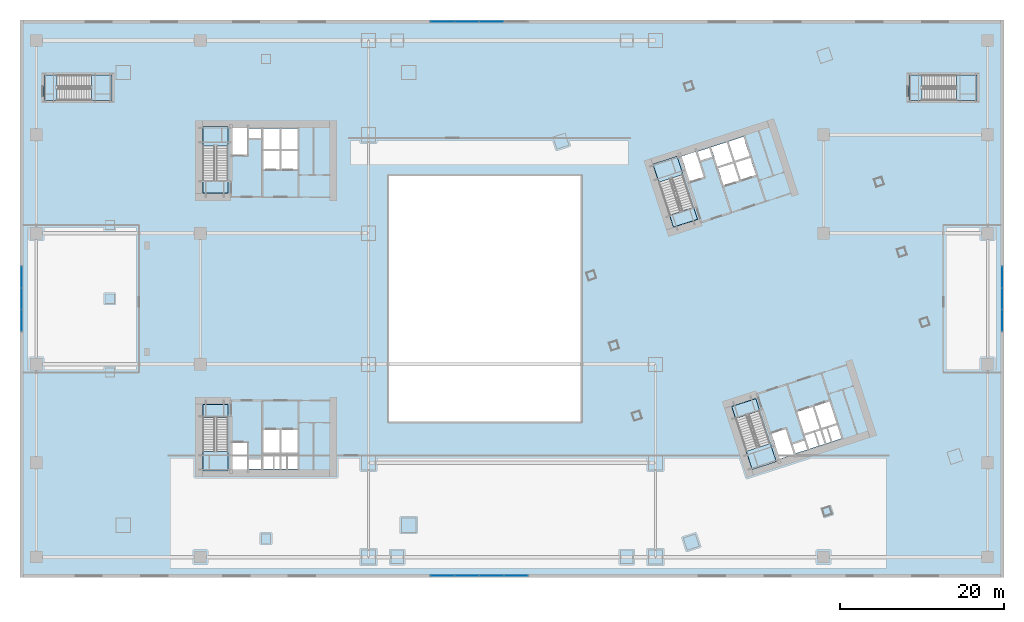
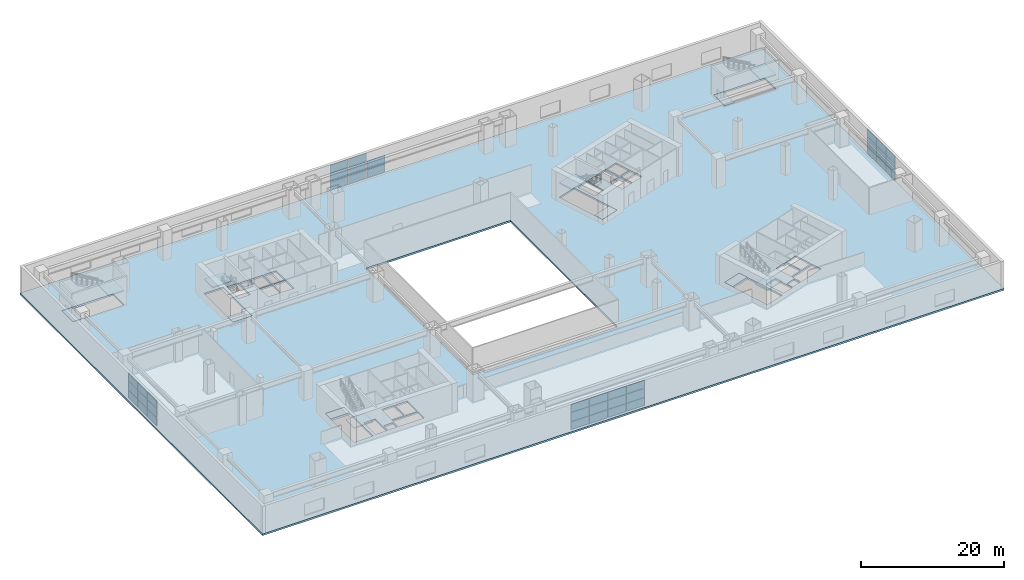
# One storey, part 21 of 35: 38 plates, 13 slabs, 10 elements without a shape of their own.
"""IFC4 building model written with IfcOpenShell, lengths in metres."""

from ifc_helpers import new_model, si_unit, direction, frame, origin, origin_2d, place, context, subcontext, project, spatial, polyline, rectangle, outline, extrude, material, layer, layer_set, type_object, element, aggregate, save


model = new_model("IFC4")

# Units and contexts
model_context = context("Model", 3, precision=1e-05, world=origin(), true_north=direction((0.0, 1.0)))
body_context = subcontext(model_context, "Body", "Model", "MODEL_VIEW")
ifc_project = project(units=[si_unit("LENGTHUNIT", "METRE"), si_unit("AREAUNIT", "SQUARE_METRE"), si_unit("VOLUMEUNIT", "CUBIC_METRE"), si_unit("PLANEANGLEUNIT", "RADIAN"), si_unit("MASSUNIT", "GRAM", prefix="KILO")], contexts=[model_context])

# Site, building, storey
site_placement = place(None, origin())
site = spatial("IfcSite", under=ifc_project, at=site_placement, CompositionType="ELEMENT")
building_placement = place(site_placement, origin())
building = spatial("IfcBuilding", under=site, at=building_placement, Name="Qiaolan Cultural Towers", CompositionType="ELEMENT")
storey_placement = place(building_placement, frame((0.0, 0.0, 11.5)))
storey = spatial("IfcBuildingStorey", under=building, at=storey_placement, Name="L02", CompositionType="ELEMENT", Elevation=11.5)

# Curtain wall, plates
ifc_material_1 = material(Name="Unitized Anodized Aluminium Curtain Wall System", Category="aluminium")
ifc_layer_1 = layer(ifc_material_1, 0.199951171875)
ifc_layer_set_1 = layer_set([ifc_layer_1], Name="Unitized Anodized Aluminium Curtain Wall System")
curtain_wall_type_1 = type_object("IfcCurtainWallType", Name="CWS-01", PredefinedType="NOTDEFINED", material=ifc_layer_set_1)
curtain_wall_1_placement = place(storey_placement, origin())
curtain_wall_1 = element("IfcCurtainWall", 1, at=curtain_wall_1_placement, inside=storey, type_object=curtain_wall_type_1, Name="L02 South Atrium Curtain Wall", PredefinedType="NOTDEFINED")
ifc_material_2 = material(Name="Laminated Low-E Insulating Glass Unit", Category="glass")
ifc_layer_2 = layer(ifc_material_2, 0.035888671875)
ifc_layer_set_2 = layer_set([ifc_layer_2], Name="Laminated Low-E Insulating Glass Unit")
plate_type_1 = type_object("IfcPlateType", Name="CWS-01-PNL", PredefinedType="CURTAIN_PANEL", material=ifc_layer_set_2)
plate_1_placement = place(storey_placement, frame((51.518798828125, 0.219970703125, 0.215087890625), z_axis=(0.0, 0.0, 1.0), x_axis=(1.0, 0.0, 0.0)))
plate_1 = element("IfcPlate", 2, at=plate_1_placement, type_object=plate_type_1, Name="CW-1 panel 1.1", PredefinedType="CURTAIN_PANEL", context=body_context, shape_type="SweptSolid", body=[
    extrude(rectangle(XDim=2.887451171875, YDim=0.035888671875, at=origin_2d()), origin(), (0.0, 0.0, 1.0), 1.3125),
])
plate_2_placement = place(storey_placement, frame((51.518798828125, 0.219970703125, 1.5927734375), z_axis=(0.0, 0.0, 1.0), x_axis=(1.0, 0.0, 0.0)))
plate_2 = element("IfcPlate", 3, at=plate_2_placement, type_object=plate_type_1, Name="CW-1 panel 1.2", PredefinedType="CURTAIN_PANEL", context=body_context, shape_type="SweptSolid", body=[
    extrude(rectangle(XDim=2.887451171875, YDim=0.035888671875, at=origin_2d()), origin(), (0.0, 0.0, 1.0), 1.514892578125),
])
plate_3_placement = place(storey_placement, frame((51.518798828125, 0.219970703125, 3.172607421875), z_axis=(0.0, 0.0, 1.0), x_axis=(1.0, 0.0, 0.0)))
plate_3 = element("IfcPlate", 4, at=plate_3_placement, type_object=plate_type_1, Name="CW-1 panel 1.3", PredefinedType="CURTAIN_PANEL", context=body_context, shape_type="SweptSolid", body=[
    extrude(rectangle(XDim=2.887451171875, YDim=0.035888671875, at=origin_2d()), origin(), (0.0, 0.0, 1.0), 1.3125),
])
plate_4_placement = place(storey_placement, frame((54.5, 0.219970703125, 0.215087890625), z_axis=(0.0, 0.0, 1.0), x_axis=(1.0, 0.0, 0.0)))
plate_4 = element("IfcPlate", 5, at=plate_4_placement, type_object=plate_type_1, Name="CW-1 panel 2.1", PredefinedType="CURTAIN_PANEL", context=body_context, shape_type="SweptSolid", body=[
    extrude(rectangle(XDim=2.925048828125, YDim=0.035888671875, at=origin_2d()), origin(), (0.0, 0.0, 1.0), 1.3125),
])
plate_5_placement = place(storey_placement, frame((54.5, 0.219970703125, 1.5927734375), z_axis=(0.0, 0.0, 1.0), x_axis=(1.0, 0.0, 0.0)))
plate_5 = element("IfcPlate", 6, at=plate_5_placement, type_object=plate_type_1, Name="CW-1 panel 2.2", PredefinedType="CURTAIN_PANEL", context=body_context, shape_type="SweptSolid", body=[
    extrude(rectangle(XDim=2.925048828125, YDim=0.035888671875, at=origin_2d()), origin(), (0.0, 0.0, 1.0), 1.514892578125),
])
plate_6_placement = place(storey_placement, frame((54.5, 0.219970703125, 3.172607421875), z_axis=(0.0, 0.0, 1.0), x_axis=(1.0, 0.0, 0.0)))
plate_6 = element("IfcPlate", 7, at=plate_6_placement, type_object=plate_type_1, Name="CW-1 panel 2.3", PredefinedType="CURTAIN_PANEL", context=body_context, shape_type="SweptSolid", body=[
    extrude(rectangle(XDim=2.925048828125, YDim=0.035888671875, at=origin_2d()), origin(), (0.0, 0.0, 1.0), 1.3125),
])
plate_7_placement = place(storey_placement, frame((57.5, 0.219970703125, 0.215087890625), z_axis=(0.0, 0.0, 1.0), x_axis=(1.0, 0.0, 0.0)))
plate_7 = element("IfcPlate", 8, at=plate_7_placement, type_object=plate_type_1, Name="CW-1 panel 3.1", PredefinedType="CURTAIN_PANEL", context=body_context, shape_type="SweptSolid", body=[
    extrude(rectangle(XDim=2.925048828125, YDim=0.035888671875, at=origin_2d()), origin(), (0.0, 0.0, 1.0), 1.3125),
])
plate_8_placement = place(storey_placement, frame((57.5, 0.219970703125, 1.5927734375), z_axis=(0.0, 0.0, 1.0), x_axis=(1.0, 0.0, 0.0)))
plate_8 = element("IfcPlate", 9, at=plate_8_placement, type_object=plate_type_1, Name="CW-1 panel 3.2", PredefinedType="CURTAIN_PANEL", context=body_context, shape_type="SweptSolid", body=[
    extrude(rectangle(XDim=2.925048828125, YDim=0.035888671875, at=origin_2d()), origin(), (0.0, 0.0, 1.0), 1.514892578125),
])
plate_9_placement = place(storey_placement, frame((57.5, 0.219970703125, 3.172607421875), z_axis=(0.0, 0.0, 1.0), x_axis=(1.0, 0.0, 0.0)))
plate_9 = element("IfcPlate", 10, at=plate_9_placement, type_object=plate_type_1, Name="CW-1 panel 3.3", PredefinedType="CURTAIN_PANEL", context=body_context, shape_type="SweptSolid", body=[
    extrude(rectangle(XDim=2.925048828125, YDim=0.035888671875, at=origin_2d()), origin(), (0.0, 0.0, 1.0), 1.3125),
])
plate_10_placement = place(storey_placement, frame((60.481201171875, 0.219970703125, 0.215087890625), z_axis=(0.0, 0.0, 1.0), x_axis=(1.0, 0.0, 0.0)))
plate_10 = element("IfcPlate", 11, at=plate_10_placement, type_object=plate_type_1, Name="CW-1 panel 4.1", PredefinedType="CURTAIN_PANEL", context=body_context, shape_type="SweptSolid", body=[
    extrude(rectangle(XDim=2.887451171875, YDim=0.035888671875, at=origin_2d()), origin(), (0.0, 0.0, 1.0), 1.3125),
])
plate_11_placement = place(storey_placement, frame((60.481201171875, 0.219970703125, 1.5927734375), z_axis=(0.0, 0.0, 1.0), x_axis=(1.0, 0.0, 0.0)))
plate_11 = element("IfcPlate", 12, at=plate_11_placement, type_object=plate_type_1, Name="CW-1 panel 4.2", PredefinedType="CURTAIN_PANEL", context=body_context, shape_type="SweptSolid", body=[
    extrude(rectangle(XDim=2.887451171875, YDim=0.035888671875, at=origin_2d()), origin(), (0.0, 0.0, 1.0), 1.514892578125),
])
plate_12_placement = place(storey_placement, frame((60.481201171875, 0.219970703125, 3.172607421875), z_axis=(0.0, 0.0, 1.0), x_axis=(1.0, 0.0, 0.0)))
plate_12 = element("IfcPlate", 13, at=plate_12_placement, type_object=plate_type_1, Name="CW-1 panel 4.3", PredefinedType="CURTAIN_PANEL", context=body_context, shape_type="SweptSolid", body=[
    extrude(rectangle(XDim=2.887451171875, YDim=0.035888671875, at=origin_2d()), origin(), (0.0, 0.0, 1.0), 1.3125),
])
aggregate(curtain_wall_1, [plate_1, plate_2, plate_3, plate_4, plate_5, plate_6, plate_7, plate_8, plate_9, plate_10, plate_11, plate_12])

curtain_wall_2_placement = place(storey_placement, origin())
curtain_wall_2 = element("IfcCurtainWall", 14, at=curtain_wall_2_placement, inside=storey, type_object=curtain_wall_type_1, Name="L02 North Atrium Curtain Wall", PredefinedType="NOTDEFINED")
plate_13_placement = place(storey_placement, frame((51.518798828125, 67.780029296875, 0.215087890625), z_axis=(0.0, 0.0, 1.0), x_axis=(1.0, 0.0, 0.0)))
plate_13 = element("IfcPlate", 15, at=plate_13_placement, type_object=plate_type_1, Name="CW-1 panel 1.1", PredefinedType="CURTAIN_PANEL", context=body_context, shape_type="SweptSolid", body=[
    extrude(rectangle(XDim=2.887451171875, YDim=0.035888671875, at=origin_2d()), origin(), (0.0, 0.0, 1.0), 1.3125),
])
plate_14_placement = place(storey_placement, frame((51.518798828125, 67.780029296875, 1.5927734375), z_axis=(0.0, 0.0, 1.0), x_axis=(1.0, 0.0, 0.0)))
plate_14 = element("IfcPlate", 16, at=plate_14_placement, type_object=plate_type_1, Name="CW-1 panel 1.2", PredefinedType="CURTAIN_PANEL", context=body_context, shape_type="SweptSolid", body=[
    extrude(rectangle(XDim=2.887451171875, YDim=0.035888671875, at=origin_2d()), origin(), (0.0, 0.0, 1.0), 1.514892578125),
])
plate_15_placement = place(storey_placement, frame((51.518798828125, 67.780029296875, 3.172607421875), z_axis=(0.0, 0.0, 1.0), x_axis=(1.0, 0.0, 0.0)))
plate_15 = element("IfcPlate", 17, at=plate_15_placement, type_object=plate_type_1, Name="CW-1 panel 1.3", PredefinedType="CURTAIN_PANEL", context=body_context, shape_type="SweptSolid", body=[
    extrude(rectangle(XDim=2.887451171875, YDim=0.035888671875, at=origin_2d()), origin(), (0.0, 0.0, 1.0), 1.3125),
])
plate_16_placement = place(storey_placement, frame((54.5, 67.780029296875, 0.215087890625), z_axis=(0.0, 0.0, 1.0), x_axis=(1.0, 0.0, 0.0)))
plate_16 = element("IfcPlate", 18, at=plate_16_placement, type_object=plate_type_1, Name="CW-1 panel 2.1", PredefinedType="CURTAIN_PANEL", context=body_context, shape_type="SweptSolid", body=[
    extrude(rectangle(XDim=2.925048828125, YDim=0.035888671875, at=origin_2d()), origin(), (0.0, 0.0, 1.0), 1.3125),
])
plate_17_placement = place(storey_placement, frame((54.5, 67.780029296875, 1.5927734375), z_axis=(0.0, 0.0, 1.0), x_axis=(1.0, 0.0, 0.0)))
plate_17 = element("IfcPlate", 19, at=plate_17_placement, type_object=plate_type_1, Name="CW-1 panel 2.2", PredefinedType="CURTAIN_PANEL", context=body_context, shape_type="SweptSolid", body=[
    extrude(rectangle(XDim=2.925048828125, YDim=0.035888671875, at=origin_2d()), origin(), (0.0, 0.0, 1.0), 1.514892578125),
])
plate_18_placement = place(storey_placement, frame((54.5, 67.780029296875, 3.172607421875), z_axis=(0.0, 0.0, 1.0), x_axis=(1.0, 0.0, 0.0)))
plate_18 = element("IfcPlate", 20, at=plate_18_placement, type_object=plate_type_1, Name="CW-1 panel 2.3", PredefinedType="CURTAIN_PANEL", context=body_context, shape_type="SweptSolid", body=[
    extrude(rectangle(XDim=2.925048828125, YDim=0.035888671875, at=origin_2d()), origin(), (0.0, 0.0, 1.0), 1.3125),
])
plate_19_placement = place(storey_placement, frame((57.5, 67.780029296875, 0.215087890625), z_axis=(0.0, 0.0, 1.0), x_axis=(1.0, 0.0, 0.0)))
plate_19 = element("IfcPlate", 21, at=plate_19_placement, type_object=plate_type_1, Name="CW-1 panel 3.1", PredefinedType="CURTAIN_PANEL", context=body_context, shape_type="SweptSolid", body=[
    extrude(rectangle(XDim=2.925048828125, YDim=0.035888671875, at=origin_2d()), origin(), (0.0, 0.0, 1.0), 1.3125),
])
plate_20_placement = place(storey_placement, frame((57.5, 67.780029296875, 1.5927734375), z_axis=(0.0, 0.0, 1.0), x_axis=(1.0, 0.0, 0.0)))
plate_20 = element("IfcPlate", 22, at=plate_20_placement, type_object=plate_type_1, Name="CW-1 panel 3.2", PredefinedType="CURTAIN_PANEL", context=body_context, shape_type="SweptSolid", body=[
    extrude(rectangle(XDim=2.925048828125, YDim=0.035888671875, at=origin_2d()), origin(), (0.0, 0.0, 1.0), 1.514892578125),
])
aggregate(curtain_wall_2, [plate_13, plate_14, plate_15, plate_16, plate_17, plate_18, plate_19, plate_20])

ifc_material_3 = material(Name="Unitized Anodized Aluminium Curtain Wall System", Category="aluminium")
ifc_layer_3 = layer(ifc_material_3, 0.199951171875)
ifc_layer_set_3 = layer_set([ifc_layer_3], Name="Unitized Anodized Aluminium Curtain Wall System")
curtain_wall_type_2 = type_object("IfcCurtainWallType", Name="CWS-04", PredefinedType="NOTDEFINED", material=ifc_layer_set_3)
curtain_wall_3_placement = place(storey_placement, origin())
curtain_wall_3 = element("IfcCurtainWall", 23, at=curtain_wall_3_placement, inside=storey, type_object=curtain_wall_type_2, Name="L02 West Exhibition Foyer Curtain Wall", PredefinedType="NOTDEFINED")
ifc_material_4 = material(Name="Laminated Low-E Insulating Glass Unit", Category="glass")
ifc_layer_4 = layer(ifc_material_4, 0.035888671875)
ifc_layer_set_4 = layer_set([ifc_layer_4], Name="Laminated Low-E Insulating Glass Unit")
plate_type_2 = type_object("IfcPlateType", Name="CWS-04-PNL", PredefinedType="CURTAIN_PANEL", material=ifc_layer_set_4)
plate_21_placement = place(storey_placement, frame((0.219970703125, 31.35205078125, 0.215087890625), z_axis=(0.0, 0.0, 1.0), x_axis=(0.0, 1.0, 0.0)))
plate_21 = element("IfcPlate", 24, at=plate_21_placement, type_object=plate_type_2, Name="CW-4 panel 1.1", PredefinedType="CURTAIN_PANEL", context=body_context, shape_type="SweptSolid", body=[
    extrude(rectangle(XDim=2.55419921875, YDim=0.035888671875, at=origin_2d()), origin(), (0.0, 0.0, 1.0), 1.3125),
])
plate_22_placement = place(storey_placement, frame((0.219970703125, 31.35205078125, 1.5927734375), z_axis=(0.0, 0.0, 1.0), x_axis=(0.0, 1.0, 0.0)))
plate_22 = element("IfcPlate", 25, at=plate_22_placement, type_object=plate_type_2, Name="CW-4 panel 1.2", PredefinedType="CURTAIN_PANEL", context=body_context, shape_type="SweptSolid", body=[
    extrude(rectangle(XDim=2.55419921875, YDim=0.035888671875, at=origin_2d()), origin(), (0.0, 0.0, 1.0), 1.514892578125),
])
plate_23_placement = place(storey_placement, frame((0.219970703125, 31.35205078125, 3.172607421875), z_axis=(0.0, 0.0, 1.0), x_axis=(0.0, 1.0, 0.0)))
plate_23 = element("IfcPlate", 26, at=plate_23_placement, type_object=plate_type_2, Name="CW-4 panel 1.3", PredefinedType="CURTAIN_PANEL", context=body_context, shape_type="SweptSolid", body=[
    extrude(rectangle(XDim=2.55419921875, YDim=0.035888671875, at=origin_2d()), origin(), (0.0, 0.0, 1.0), 1.3125),
])
plate_24_placement = place(storey_placement, frame((0.219970703125, 34.0, 0.215087890625), z_axis=(0.0, 0.0, 1.0), x_axis=(0.0, 1.0, 0.0)))
plate_24 = element("IfcPlate", 27, at=plate_24_placement, type_object=plate_type_2, Name="CW-4 panel 2.1", PredefinedType="CURTAIN_PANEL", context=body_context, shape_type="SweptSolid", body=[
    extrude(rectangle(XDim=2.591552734375, YDim=0.035888671875, at=origin_2d()), origin(), (0.0, 0.0, 1.0), 1.3125),
])
plate_25_placement = place(storey_placement, frame((0.219970703125, 34.0, 1.5927734375), z_axis=(0.0, 0.0, 1.0), x_axis=(0.0, 1.0, 0.0)))
plate_25 = element("IfcPlate", 28, at=plate_25_placement, type_object=plate_type_2, Name="CW-4 panel 2.2", PredefinedType="CURTAIN_PANEL", context=body_context, shape_type="SweptSolid", body=[
    extrude(rectangle(XDim=2.591552734375, YDim=0.035888671875, at=origin_2d()), origin(), (0.0, 0.0, 1.0), 1.514892578125),
])
plate_26_placement = place(storey_placement, frame((0.219970703125, 34.0, 3.172607421875), z_axis=(0.0, 0.0, 1.0), x_axis=(0.0, 1.0, 0.0)))
plate_26 = element("IfcPlate", 29, at=plate_26_placement, type_object=plate_type_2, Name="CW-4 panel 2.3", PredefinedType="CURTAIN_PANEL", context=body_context, shape_type="SweptSolid", body=[
    extrude(rectangle(XDim=2.591552734375, YDim=0.035888671875, at=origin_2d()), origin(), (0.0, 0.0, 1.0), 1.3125),
])
plate_27_placement = place(storey_placement, frame((0.219970703125, 36.64794921875, 0.215087890625), z_axis=(0.0, 0.0, 1.0), x_axis=(0.0, 1.0, 0.0)))
plate_27 = element("IfcPlate", 30, at=plate_27_placement, type_object=plate_type_2, Name="CW-4 panel 3.1", PredefinedType="CURTAIN_PANEL", context=body_context, shape_type="SweptSolid", body=[
    extrude(rectangle(XDim=2.55419921875, YDim=0.035888671875, at=origin_2d()), origin(), (0.0, 0.0, 1.0), 1.3125),
])
plate_28_placement = place(storey_placement, frame((0.219970703125, 36.64794921875, 1.5927734375), z_axis=(0.0, 0.0, 1.0), x_axis=(0.0, 1.0, 0.0)))
plate_28 = element("IfcPlate", 31, at=plate_28_placement, type_object=plate_type_2, Name="CW-4 panel 3.2", PredefinedType="CURTAIN_PANEL", context=body_context, shape_type="SweptSolid", body=[
    extrude(rectangle(XDim=2.55419921875, YDim=0.035888671875, at=origin_2d()), origin(), (0.0, 0.0, 1.0), 1.514892578125),
])
plate_29_placement = place(storey_placement, frame((0.219970703125, 36.64794921875, 3.172607421875), z_axis=(0.0, 0.0, 1.0), x_axis=(0.0, 1.0, 0.0)))
plate_29 = element("IfcPlate", 32, at=plate_29_placement, type_object=plate_type_2, Name="CW-4 panel 3.3", PredefinedType="CURTAIN_PANEL", context=body_context, shape_type="SweptSolid", body=[
    extrude(rectangle(XDim=2.55419921875, YDim=0.035888671875, at=origin_2d()), origin(), (0.0, 0.0, 1.0), 1.3125),
])
aggregate(curtain_wall_3, [plate_21, plate_22, plate_23, plate_24, plate_25, plate_26, plate_27, plate_28, plate_29])

curtain_wall_4_placement = place(storey_placement, origin())
curtain_wall_4 = element("IfcCurtainWall", 33, at=curtain_wall_4_placement, inside=storey, type_object=curtain_wall_type_2, Name="L02 East Exhibition Foyer Curtain Wall", PredefinedType="NOTDEFINED")
plate_30_placement = place(storey_placement, frame((119.780029296875, 31.35205078125, 0.215087890625), z_axis=(0.0, 0.0, 1.0), x_axis=(0.0, 1.0, 0.0)))
plate_30 = element("IfcPlate", 34, at=plate_30_placement, type_object=plate_type_2, Name="CW-4 panel 1.1", PredefinedType="CURTAIN_PANEL", context=body_context, shape_type="SweptSolid", body=[
    extrude(rectangle(XDim=2.55419921875, YDim=0.035888671875, at=origin_2d()), origin(), (0.0, 0.0, 1.0), 1.3125),
])
plate_31_placement = place(storey_placement, frame((119.780029296875, 31.35205078125, 1.5927734375), z_axis=(0.0, 0.0, 1.0), x_axis=(0.0, 1.0, 0.0)))
plate_31 = element("IfcPlate", 35, at=plate_31_placement, type_object=plate_type_2, Name="CW-4 panel 1.2", PredefinedType="CURTAIN_PANEL", context=body_context, shape_type="SweptSolid", body=[
    extrude(rectangle(XDim=2.55419921875, YDim=0.035888671875, at=origin_2d()), origin(), (0.0, 0.0, 1.0), 1.514892578125),
])
plate_32_placement = place(storey_placement, frame((119.780029296875, 31.35205078125, 3.172607421875), z_axis=(0.0, 0.0, 1.0), x_axis=(0.0, 1.0, 0.0)))
plate_32 = element("IfcPlate", 36, at=plate_32_placement, type_object=plate_type_2, Name="CW-4 panel 1.3", PredefinedType="CURTAIN_PANEL", context=body_context, shape_type="SweptSolid", body=[
    extrude(rectangle(XDim=2.55419921875, YDim=0.035888671875, at=origin_2d()), origin(), (0.0, 0.0, 1.0), 1.3125),
])
plate_33_placement = place(storey_placement, frame((119.780029296875, 34.0, 0.215087890625), z_axis=(0.0, 0.0, 1.0), x_axis=(0.0, 1.0, 0.0)))
plate_33 = element("IfcPlate", 37, at=plate_33_placement, type_object=plate_type_2, Name="CW-4 panel 2.1", PredefinedType="CURTAIN_PANEL", context=body_context, shape_type="SweptSolid", body=[
    extrude(rectangle(XDim=2.591552734375, YDim=0.035888671875, at=origin_2d()), origin(), (0.0, 0.0, 1.0), 1.3125),
])
plate_34_placement = place(storey_placement, frame((119.780029296875, 34.0, 1.5927734375), z_axis=(0.0, 0.0, 1.0), x_axis=(0.0, 1.0, 0.0)))
plate_34 = element("IfcPlate", 38, at=plate_34_placement, type_object=plate_type_2, Name="CW-4 panel 2.2", PredefinedType="CURTAIN_PANEL", context=body_context, shape_type="SweptSolid", body=[
    extrude(rectangle(XDim=2.591552734375, YDim=0.035888671875, at=origin_2d()), origin(), (0.0, 0.0, 1.0), 1.514892578125),
])
plate_35_placement = place(storey_placement, frame((119.780029296875, 34.0, 3.172607421875), z_axis=(0.0, 0.0, 1.0), x_axis=(0.0, 1.0, 0.0)))
plate_35 = element("IfcPlate", 39, at=plate_35_placement, type_object=plate_type_2, Name="CW-4 panel 2.3", PredefinedType="CURTAIN_PANEL", context=body_context, shape_type="SweptSolid", body=[
    extrude(rectangle(XDim=2.591552734375, YDim=0.035888671875, at=origin_2d()), origin(), (0.0, 0.0, 1.0), 1.3125),
])
plate_36_placement = place(storey_placement, frame((119.780029296875, 36.64794921875, 0.215087890625), z_axis=(0.0, 0.0, 1.0), x_axis=(0.0, 1.0, 0.0)))
plate_36 = element("IfcPlate", 40, at=plate_36_placement, type_object=plate_type_2, Name="CW-4 panel 3.1", PredefinedType="CURTAIN_PANEL", context=body_context, shape_type="SweptSolid", body=[
    extrude(rectangle(XDim=2.55419921875, YDim=0.035888671875, at=origin_2d()), origin(), (0.0, 0.0, 1.0), 1.3125),
])
plate_37_placement = place(storey_placement, frame((119.780029296875, 36.64794921875, 1.5927734375), z_axis=(0.0, 0.0, 1.0), x_axis=(0.0, 1.0, 0.0)))
plate_37 = element("IfcPlate", 41, at=plate_37_placement, type_object=plate_type_2, Name="CW-4 panel 3.2", PredefinedType="CURTAIN_PANEL", context=body_context, shape_type="SweptSolid", body=[
    extrude(rectangle(XDim=2.55419921875, YDim=0.035888671875, at=origin_2d()), origin(), (0.0, 0.0, 1.0), 1.514892578125),
])
plate_38_placement = place(storey_placement, frame((119.780029296875, 36.64794921875, 3.172607421875), z_axis=(0.0, 0.0, 1.0), x_axis=(0.0, 1.0, 0.0)))
plate_38 = element("IfcPlate", 42, at=plate_38_placement, type_object=plate_type_2, Name="CW-4 panel 3.3", PredefinedType="CURTAIN_PANEL", context=body_context, shape_type="SweptSolid", body=[
    extrude(rectangle(XDim=2.55419921875, YDim=0.035888671875, at=origin_2d()), origin(), (0.0, 0.0, 1.0), 1.3125),
])
aggregate(curtain_wall_4, [plate_30, plate_31, plate_32, plate_33, plate_34, plate_35, plate_36, plate_37, plate_38])

# Slab
ifc_material_5 = material(Name="Concrete C50", Category="concrete")
ifc_layer_5 = layer(ifc_material_5, 0.300048828125)
ifc_layer_set_5 = layer_set([ifc_layer_5], Name="Concrete C50")
slab_type_1 = type_object("IfcSlabType", Name="SL-POD-300", PredefinedType="FLOOR", material=ifc_layer_set_5)
slab_1_placement = place(storey_placement, frame((0.0, 0.0, -0.300048828125)))
element("IfcSlab", 43, at=slab_1_placement, inside=storey, type_object=slab_type_1, Name="L02 Structural Floor Slab", PredefinedType="FLOOR", context=body_context, shape_type="SweptSolid", body=[
    extrude(outline(polyline([(0.0, 0.0), (120.0, 0.0), (120.0, 68.0), (0.0, 68.0), (0.0, 0.0)]), holes=[polyline([(22.300048828125, 21.10009765625), (22.300048828125, 13.0), (25.3798828125, 13.0), (25.3798828125, 21.10009765625), (22.300048828125, 21.10009765625)]), polyline([(25.3798828125, 46.89990234375), (25.3798828125, 55.0), (22.300048828125, 55.0), (22.300048828125, 46.89990234375), (25.3798828125, 46.89990234375)]), polyline([(86.80126953125, 20.868896484375), (89.30419921875, 13.165283203125), (92.2333984375, 14.116943359375), (89.73046875, 21.820556640625), (86.80126953125, 20.868896484375)]), polyline([(82.623046875, 43.69482421875), (80.1201171875, 51.3984375), (77.190673828125, 50.44677734375), (79.69384765625, 42.7431640625), (82.623046875, 43.69482421875)]), polyline([(2.89990234375, 58.199951171875), (11.199951171875, 58.199951171875), (11.199951171875, 61.300048828125), (2.89990234375, 61.300048828125), (2.89990234375, 58.199951171875)]), polyline([(108.39990234375, 58.199951171875), (116.699951171875, 58.199951171875), (116.699951171875, 61.300048828125), (108.39990234375, 61.300048828125), (108.39990234375, 58.199951171875)]), polyline([(25.89990234375, 13.199951171875), (27.75, 13.199951171875), (27.75, 16.449951171875), (25.89990234375, 16.449951171875), (25.89990234375, 13.199951171875)]), polyline([(27.93994140625, 13.25), (29.449951171875, 13.25), (29.449951171875, 14.419921875), (27.93994140625, 14.419921875), (27.93994140625, 13.25)]), polyline([(29.679931640625, 15.199951171875), (31.679931640625, 15.199951171875), (31.679931640625, 18.0), (29.679931640625, 18.0), (29.679931640625, 15.199951171875)]), polyline([(31.8798828125, 15.199951171875), (33.820068359375, 15.199951171875), (33.820068359375, 18.0), (31.8798828125, 18.0), (31.8798828125, 15.199951171875)]), polyline([(29.679931640625, 13.25), (33.820068359375, 13.25), (33.820068359375, 14.97998046875), (29.679931640625, 14.97998046875), (29.679931640625, 13.25)]), polyline([(25.89990234375, 51.550048828125), (27.75, 51.550048828125), (27.75, 54.800048828125), (25.89990234375, 54.800048828125), (25.89990234375, 51.550048828125)]), polyline([(27.93994140625, 53.580078125), (29.449951171875, 53.580078125), (29.449951171875, 54.75), (27.93994140625, 54.75), (27.93994140625, 53.580078125)]), polyline([(29.679931640625, 49.820068359375), (31.679931640625, 49.820068359375), (31.679931640625, 52.080078125), (29.679931640625, 52.080078125), (29.679931640625, 49.820068359375)]), polyline([(31.8798828125, 49.820068359375), (33.820068359375, 49.820068359375), (33.820068359375, 52.080078125), (31.8798828125, 52.080078125), (31.8798828125, 49.820068359375)]), polyline([(29.679931640625, 52.27001953125), (31.659912109375, 52.27001953125), (31.659912109375, 54.75), (29.679931640625, 54.75), (29.679931640625, 52.27001953125)]), polyline([(31.8798828125, 52.27001953125), (33.820068359375, 52.27001953125), (33.820068359375, 54.75), (31.8798828125, 54.75), (31.8798828125, 52.27001953125)]), polyline([(92.666259765625, 14.468017578125), (94.42578125, 15.03955078125), (93.42138671875, 18.130615234375), (91.661865234375, 17.558837890625), (92.666259765625, 14.468017578125)]), polyline([(94.5908203125, 15.14599609375), (96.027099609375, 15.612548828125), (95.66552734375, 16.725341796875), (94.2294921875, 16.258544921875), (94.5908203125, 15.14599609375)]), polyline([(95.643310546875, 17.5380859375), (97.54541015625, 18.15625), (96.68017578125, 20.819091796875), (94.77783203125, 20.201171875), (95.643310546875, 17.5380859375)]), polyline([(97.735595703125, 18.218017578125), (99.58056640625, 18.8173828125), (98.71533203125, 21.48046875), (96.870361328125, 20.880859375), (97.735595703125, 18.218017578125)]), polyline([(96.245849609375, 15.68359375), (100.18310546875, 16.962890625), (99.6484375, 18.608154296875), (95.711181640625, 17.328857421875), (96.245849609375, 15.68359375)]), polyline([(81.6806640625, 48.278076171875), (83.440185546875, 48.849609375), (82.435791015625, 51.940673828125), (80.67626953125, 51.368896484375), (81.6806640625, 48.278076171875)]), polyline([(82.993408203125, 50.839111328125), (84.4296875, 51.3056640625), (84.068115234375, 52.41845703125), (82.632080078125, 51.95166015625), (82.993408203125, 50.839111328125)]), polyline([(85.810302734375, 47.80078125), (87.71240234375, 48.418701171875), (87.013916015625, 50.568115234375), (85.11181640625, 49.9501953125), (85.810302734375, 47.80078125)]), polyline([(87.902587890625, 48.480712890625), (89.74755859375, 49.080078125), (89.04931640625, 51.2294921875), (87.2041015625, 50.6298828125), (87.902587890625, 48.480712890625)]), polyline([(85.05322265625, 50.130859375), (86.936279296875, 50.74267578125), (86.169921875, 53.101318359375), (84.286865234375, 52.489501953125), (85.05322265625, 50.130859375)]), polyline([(87.1455078125, 50.810791015625), (88.990478515625, 51.41015625), (88.22412109375, 53.768798828125), (86.379150390625, 53.169189453125), (87.1455078125, 50.810791015625)]), polyline([(45.0, 19.0), (68.39990234375, 19.0), (68.39990234375, 49.0), (45.0, 49.0), (45.0, 19.0)])]), origin(), (0.0, 0.0, 1.0), 0.300048828125),
])

# Stair, slab
ifc_material_6 = material(Name="Concrete C45", Category="concrete")
stair_type_1 = type_object("IfcStairType", Name="STR-CORE-1500", PredefinedType="HALF_TURN_STAIR", material=ifc_material_6)
stair_1_placement = place(storey_placement, origin())
stair_1 = element("IfcStair", 44, at=stair_1_placement, inside=storey, type_object=stair_type_1, Name="L02 Smokeproof Exit Stair ST-W1", PredefinedType="HALF_TURN_STAIR")
ifc_material_7 = material(Name="Concrete C45", Category="concrete")
ifc_layer_6 = layer(ifc_material_7, 0.199951171875)
ifc_layer_set_6 = layer_set([ifc_layer_6], Name="Concrete C45")
slab_type_2 = type_object("IfcSlabType", Name="SL-STAIR-LAND", PredefinedType="LANDING", material=ifc_layer_set_6)
slab_2_placement = place(storey_placement, frame((0.0, 0.0, 2.300048828125)))
slab_2 = element("IfcSlab", 45, at=slab_2_placement, type_object=slab_type_2, Name="ST-W1 landing 1", PredefinedType="LANDING", context=body_context, shape_type="SweptSolid", body=[
    extrude(outline(polyline([(22.300048828125, 15.351318359375), (22.300048828125, 13.0), (25.3798828125, 13.0), (25.3798828125, 15.351318359375), (22.300048828125, 15.351318359375)])), origin(), (0.0, 0.0, 1.0), 0.199951171875),
])
aggregate(stair_1, [slab_2])

stair_2_placement = place(storey_placement, origin())
stair_2 = element("IfcStair", 46, at=stair_2_placement, inside=storey, type_object=stair_type_1, Name="L02 Smokeproof Exit Stair ST-W2", PredefinedType="HALF_TURN_STAIR")
slab_3_placement = place(storey_placement, frame((0.0, 0.0, 2.300048828125)))
slab_3 = element("IfcSlab", 47, at=slab_3_placement, type_object=slab_type_2, Name="ST-W2 landing 1", PredefinedType="LANDING", context=body_context, shape_type="SweptSolid", body=[
    extrude(outline(polyline([(25.3798828125, 52.648681640625), (25.3798828125, 55.0), (22.300048828125, 55.0), (22.300048828125, 52.648681640625), (25.3798828125, 52.648681640625)])), origin(), (0.0, 0.0, 1.0), 0.199951171875),
])
aggregate(stair_2, [slab_3])

stair_3_placement = place(storey_placement, origin())
stair_3 = element("IfcStair", 48, at=stair_3_placement, inside=storey, type_object=stair_type_1, Name="L02 Smokeproof Exit Stair ST-E1", PredefinedType="HALF_TURN_STAIR")
slab_4_placement = place(storey_placement, frame((0.0, 0.0, 2.300048828125)))
slab_4 = element("IfcSlab", 49, at=slab_4_placement, type_object=slab_type_2, Name="ST-E1 landing 1", PredefinedType="LANDING", context=body_context, shape_type="SweptSolid", body=[
    extrude(outline(polyline([(88.57763671875, 15.401611328125), (89.30419921875, 13.165283203125), (92.2333984375, 14.116943359375), (91.5068359375, 16.353271484375), (88.57763671875, 15.401611328125)])), origin(), (0.0, 0.0, 1.0), 0.199951171875),
])
aggregate(stair_3, [slab_4])

stair_4_placement = place(storey_placement, origin())
stair_4 = element("IfcStair", 50, at=stair_4_placement, inside=storey, type_object=stair_type_1, Name="L02 Smokeproof Exit Stair ST-E2", PredefinedType="HALF_TURN_STAIR")
slab_5_placement = place(storey_placement, frame((0.0, 0.0, 2.300048828125)))
slab_5 = element("IfcSlab", 51, at=slab_5_placement, type_object=slab_type_2, Name="ST-E2 landing 1", PredefinedType="LANDING", context=body_context, shape_type="SweptSolid", body=[
    extrude(outline(polyline([(80.8466796875, 49.162353515625), (80.1201171875, 51.3984375), (77.190673828125, 50.44677734375), (77.917236328125, 48.21044921875), (80.8466796875, 49.162353515625)])), origin(), (0.0, 0.0, 1.0), 0.199951171875),
])
aggregate(stair_4, [slab_5])

ifc_material_8 = material(Name="Concrete C45", Category="concrete")
stair_type_2 = type_object("IfcStairType", Name="STR-POD-1650", PredefinedType="HALF_TURN_STAIR", material=ifc_material_8)
stair_5_placement = place(storey_placement, origin())
stair_5 = element("IfcStair", 52, at=stair_5_placement, inside=storey, type_object=stair_type_2, Name="L02 Podium Northwest Exit Stair ST-P1", PredefinedType="HALF_TURN_STAIR")
slab_6_placement = place(storey_placement, frame((0.0, 0.0, 2.300048828125)))
slab_6 = element("IfcSlab", 53, at=slab_6_placement, type_object=slab_type_2, Name="ST-P1 landing 1", PredefinedType="LANDING", context=body_context, shape_type="SweptSolid", body=[
    extrude(outline(polyline([(8.69873046875, 58.199951171875), (11.199951171875, 58.199951171875), (11.199951171875, 61.300048828125), (8.69873046875, 61.300048828125), (8.69873046875, 58.199951171875)])), origin(), (0.0, 0.0, 1.0), 0.199951171875),
])
aggregate(stair_5, [slab_6])

stair_6_placement = place(storey_placement, origin())
stair_6 = element("IfcStair", 54, at=stair_6_placement, inside=storey, type_object=stair_type_2, Name="L02 Podium Northeast Exit Stair ST-P2", PredefinedType="HALF_TURN_STAIR")
slab_7_placement = place(storey_placement, frame((0.0, 0.0, 2.300048828125)))
slab_7 = element("IfcSlab", 55, at=slab_7_placement, type_object=slab_type_2, Name="ST-P2 landing 1", PredefinedType="LANDING", context=body_context, shape_type="SweptSolid", body=[
    extrude(outline(polyline([(114.19873046875, 58.199951171875), (116.699951171875, 58.199951171875), (116.699951171875, 61.300048828125), (114.19873046875, 61.300048828125), (114.19873046875, 58.199951171875)])), origin(), (0.0, 0.0, 1.0), 0.199951171875),
])
aggregate(stair_6, [slab_7])

# Slabs
ifc_material_9 = material(Name="Concrete C40", Category="concrete")
ifc_layer_7 = layer(ifc_material_9, 0.360107421875)
ifc_layer_set_7 = layer_set([ifc_layer_7], Name="Concrete C40")
slab_type_3 = type_object("IfcSlabType", Name="SL-STFLR-360", PredefinedType="LANDING", material=ifc_layer_set_7)
slab_8_placement = place(storey_placement, frame((0.0, 0.0, -0.360107421875)))
element("IfcSlab", 56, at=slab_8_placement, inside=storey, type_object=slab_type_3, Name="L02 ST-W1 Stair Floor Landing Slab", PredefinedType="LANDING", context=body_context, shape_type="SweptSolid", body=[
    extrude(outline(polyline([(22.302001953125, 21.097900390625), (22.302001953125, 19.548583984375), (25.3779296875, 19.548583984375), (25.3779296875, 21.097900390625), (22.302001953125, 21.097900390625)])), origin(), (0.0, 0.0, 1.0), 0.360107421875),
])
slab_9_placement = place(storey_placement, frame((0.0, 0.0, -0.360107421875)))
element("IfcSlab", 57, at=slab_9_placement, inside=storey, type_object=slab_type_3, Name="L02 ST-W2 Stair Floor Landing Slab", PredefinedType="LANDING", context=body_context, shape_type="SweptSolid", body=[
    extrude(outline(polyline([(25.3779296875, 46.902099609375), (25.3779296875, 48.451416015625), (22.302001953125, 48.451416015625), (22.302001953125, 46.902099609375), (25.3779296875, 46.902099609375)])), origin(), (0.0, 0.0, 1.0), 0.360107421875),
])
slab_10_placement = place(storey_placement, frame((0.0, 0.0, -0.360107421875)))
element("IfcSlab", 58, at=slab_10_placement, inside=storey, type_object=slab_type_3, Name="L02 ST-E1 Stair Floor Landing Slab", PredefinedType="LANDING", context=body_context, shape_type="SweptSolid", body=[
    extrude(outline(polyline([(86.8037109375, 20.867431640625), (87.282470703125, 19.39404296875), (90.2080078125, 20.3447265625), (89.729248046875, 21.818115234375), (86.8037109375, 20.867431640625)])), origin(), (0.0, 0.0, 1.0), 0.360107421875),
])
slab_11_placement = place(storey_placement, frame((0.0, 0.0, -0.360107421875)))
element("IfcSlab", 59, at=slab_11_placement, inside=storey, type_object=slab_type_3, Name="L02 ST-E2 Stair Floor Landing Slab", PredefinedType="LANDING", context=body_context, shape_type="SweptSolid", body=[
    extrude(outline(polyline([(82.62060546875, 43.6962890625), (82.141845703125, 45.169677734375), (79.21630859375, 44.21923828125), (79.695068359375, 42.74560546875), (82.62060546875, 43.6962890625)])), origin(), (0.0, 0.0, 1.0), 0.360107421875),
])
slab_12_placement = place(storey_placement, frame((0.0, 0.0, -0.360107421875)))
element("IfcSlab", 60, at=slab_12_placement, inside=storey, type_object=slab_type_3, Name="L02 ST-P1 Stair Floor Landing Slab", PredefinedType="LANDING", context=body_context, shape_type="SweptSolid", body=[
    extrude(outline(polyline([(2.902099609375, 58.201904296875), (4.501220703125, 58.201904296875), (4.501220703125, 61.298095703125), (2.902099609375, 61.298095703125), (2.902099609375, 58.201904296875)])), origin(), (0.0, 0.0, 1.0), 0.360107421875),
])
slab_13_placement = place(storey_placement, frame((0.0, 0.0, -0.360107421875)))
element("IfcSlab", 61, at=slab_13_placement, inside=storey, type_object=slab_type_3, Name="L02 ST-P2 Stair Floor Landing Slab", PredefinedType="LANDING", context=body_context, shape_type="SweptSolid", body=[
    extrude(outline(polyline([(108.402099609375, 58.201904296875), (110.001220703125, 58.201904296875), (110.001220703125, 61.298095703125), (108.402099609375, 61.298095703125), (108.402099609375, 58.201904296875)])), origin(), (0.0, 0.0, 1.0), 0.360107421875),
])

save(model, "model.ifc")
